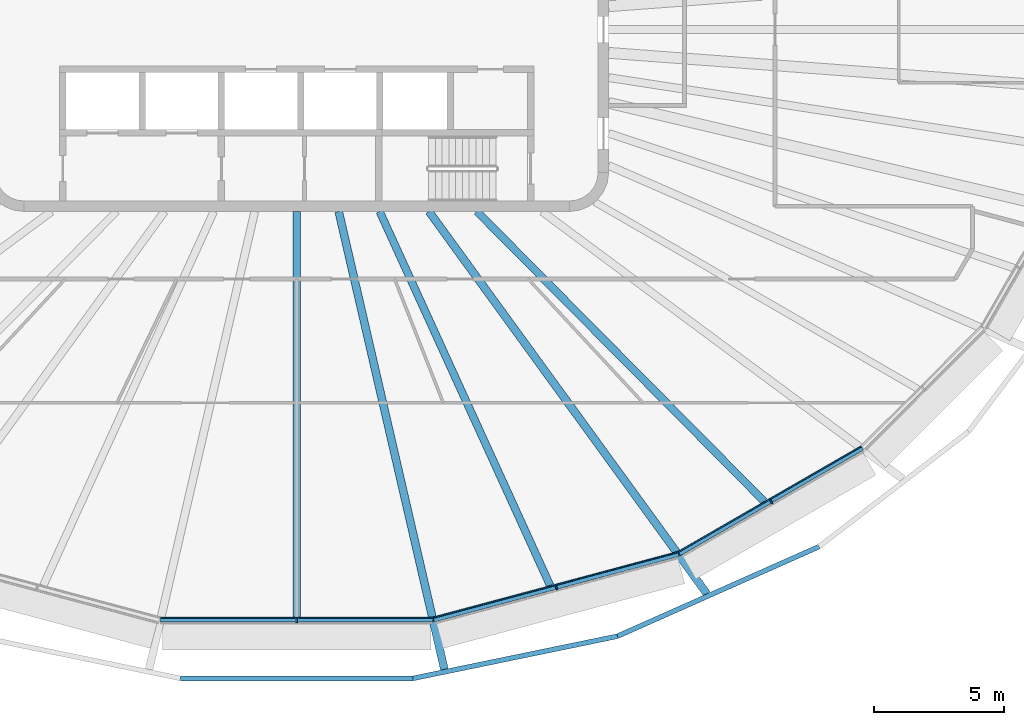
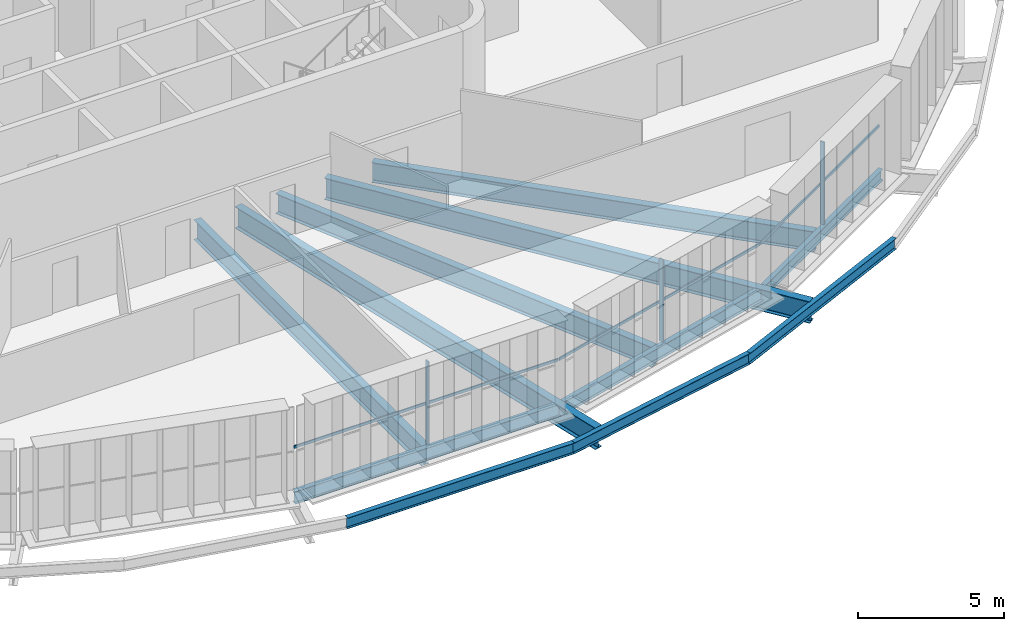
# One storey, part 3 of 19: 11 beams, 6 members, 3 elements without a shape of their own.
"""IFC4 building model written with IfcOpenShell, lengths in metres."""

from ifc_helpers import new_model, si_unit, direction, frame, origin, origin_2d, place, context, subcontext, project, spatial, rectangle, i_section, extrude, material, layer, layer_set, material_profile, profile_set, type_object, element, aggregate, save


model = new_model("IFC4")

# Units and contexts
model_context = context("Model", 3, precision=1e-05, world=origin(), true_north=direction((0.0, 1.0)))
body_context = subcontext(model_context, "Body", "Model", "MODEL_VIEW")
ifc_project = project(units=[si_unit("LENGTHUNIT", "METRE"), si_unit("AREAUNIT", "SQUARE_METRE"), si_unit("VOLUMEUNIT", "CUBIC_METRE"), si_unit("PLANEANGLEUNIT", "RADIAN"), si_unit("MASSUNIT", "GRAM", prefix="KILO")], contexts=[model_context])

# Site, building, storey
site_placement = place(None, origin())
site = spatial("IfcSite", under=ifc_project, at=site_placement, CompositionType="ELEMENT")
building_placement = place(site_placement, origin())
building = spatial("IfcBuilding", under=site, at=building_placement, Name="Sahrelin Media Tower", CompositionType="ELEMENT")
storey_placement = place(building_placement, frame((0.0, 0.0, 241.60009765625)))
storey = spatial("IfcBuildingStorey", under=building, at=storey_placement, Name="L52", CompositionType="ELEMENT", Elevation=241.60009765625)

# Beams
ifc_material_1 = material(Name="Steel S355", Category="steel")
ifc_material_profile_1 = material_profile(ifc_material_1, i_section(OverallWidth=0.1904296875, OverallDepth=0.45703125, WebThickness=0.009033203125, FlangeThickness=0.014404296875, FilletRadius=0.01025390625, at=origin_2d()), Name="UB 457x191x74")
ifc_profile_set_1 = profile_set([ifc_material_profile_1], Name="Steel S355")
beam_type_1 = type_object("IfcBeamType", Name="Edge beam EB5", PredefinedType="BEAM", material=ifc_profile_set_1)
beam_1_placement = place(storey_placement, frame((21.756591796875, -16.095947265625, -0.378662109375), z_axis=(-0.866024038412, -0.500002364886, 0.0), x_axis=(0.500002364886, -0.866024038412, 0.0)))
element("IfcBeam", 1, at=beam_1_placement, inside=storey, type_object=beam_type_1, Name="Edge beam L52-05", PredefinedType="BEAM", context=body_context, shape_type="SweptSolid", body=[
    extrude(i_section(OverallWidth=0.1904296875, OverallDepth=0.45703125, WebThickness=0.009033203125, FlangeThickness=0.014404296875, FilletRadius=0.01025390625, at=origin_2d()), origin(), (0.0, 0.0, 1.0), 8.12890625),
])
ifc_material_profile_2 = material_profile(ifc_material_1, i_section(OverallWidth=0.208740234375, OverallDepth=0.5283203125, WebThickness=0.009521484375, FlangeThickness=0.01318359375, FilletRadius=0.0126953125, at=origin_2d()), Name="UB 533x210x82")
ifc_profile_set_2 = profile_set([ifc_material_profile_2], Name="Steel S355")
beam_type_2 = type_object("IfcBeamType", Name="Edge beam EB6", PredefinedType="BEAM", material=ifc_profile_set_2)
beam_2_placement = place(storey_placement, frame((14.690185546875, -20.17138671875, -0.414306640625), z_axis=(-0.965922692081, -0.258830741845, 0.0), x_axis=(0.258830741845, -0.965922692081, 0.0)))
element("IfcBeam", 2, at=beam_2_placement, inside=storey, type_object=beam_type_2, Name="Edge beam L52-06", PredefinedType="BEAM", context=body_context, shape_type="SweptSolid", body=[
    extrude(i_section(OverallWidth=0.208740234375, OverallDepth=0.5283203125, WebThickness=0.009521484375, FlangeThickness=0.01318359375, FilletRadius=0.0126953125, at=origin_2d()), origin(), (0.0, 0.0, 1.0), 9.755126953125),
])
beam_3_placement = place(storey_placement, frame((5.239013671875, -22.699951171875, -0.414306640625), z_axis=(-1.0, 0.0, 0.0), x_axis=(0.0, -1.0, 0.0)))
element("IfcBeam", 3, at=beam_3_placement, inside=storey, type_object=beam_type_2, Name="Edge beam L52-07", PredefinedType="BEAM", context=body_context, shape_type="SweptSolid", body=[
    extrude(i_section(OverallWidth=0.208740234375, OverallDepth=0.5283203125, WebThickness=0.009521484375, FlangeThickness=0.01318359375, FilletRadius=0.0126953125, at=origin_2d()), origin(), (0.0, 0.0, 1.0), 10.47802734375),
])

# Curtain wall, member
ifc_material_2 = material(Name="Champagne anodised aluminium 6063-T6", Category="aluminium")
ifc_layer = layer(ifc_material_2, 0.14990234375)
ifc_layer_set = layer_set([ifc_layer], Name="Tower ribbon curtain wall")
curtain_wall_type = type_object("IfcCurtainWallType", Name="Tower ribbon curtain wall", PredefinedType="NOTDEFINED", material=ifc_layer_set)
curtain_wall_1_placement = place(storey_placement, frame((0.0, -22.85009765625, 0.0), z_axis=(0.0, 0.0, 1.0), x_axis=(1.0, 0.0, 0.0)))
curtain_wall_1 = element("IfcCurtainWall", 4, at=curtain_wall_1_placement, inside=storey, type_object=curtain_wall_type, Name="L52:CW:L52-18", PredefinedType="NOTDEFINED")
ifc_material_profile_3 = material_profile(ifc_material_2, rectangle(XDim=0.06005859375, YDim=0.175048828125, at=origin_2d()), Name="Mullion 60x175")
ifc_profile_set_3 = profile_set([ifc_material_profile_3], Name="Champagne anodised aluminium 6063-T6")
member_type_1 = type_object("IfcMemberType", Name="Mullion 60x175 CW1B", PredefinedType="MULLION", material=ifc_profile_set_3)
member_1_placement = place(storey_placement, frame((0.0, -22.742431640625, 0.0), z_axis=(0.0, 0.0, 1.0), x_axis=(1.0, 0.0, 0.0)))
member_1 = element("IfcMember", 5, at=member_1_placement, type_object=member_type_1, Name="L52:CWM:L52-18", PredefinedType="MULLION", context=body_context, shape_type="SweptSolid", body=[
    extrude(rectangle(XDim=0.06005859375, YDim=0.175048828125, at=origin_2d()), origin(), (0.0, 0.0, 1.0), 3.448486328125),
])

curtain_wall_2_placement = place(storey_placement, frame((10.017578125, -21.578857421875, 0.0), z_axis=(0.0, 0.0, 1.0), x_axis=(1.0, 0.0, 0.0)))
curtain_wall_2 = element("IfcCurtainWall", 6, at=curtain_wall_2_placement, inside=storey, type_object=curtain_wall_type, Name="L52:CW:L52-19", PredefinedType="NOTDEFINED")
member_2_placement = place(storey_placement, frame((9.98974609375, -21.474853515625, 0.0), z_axis=(0.0, 0.0, 1.0), x_axis=(0.965925374563, 0.258820730961, 0.0)))
member_2 = element("IfcMember", 7, at=member_2_placement, type_object=member_type_1, Name="L52:CWM:L52-19", PredefinedType="MULLION", context=body_context, shape_type="SweptSolid", body=[
    extrude(rectangle(XDim=0.06005859375, YDim=0.175048828125, at=origin_2d()), origin(), (0.0, 0.0, 1.0), 3.448486328125),
])

curtain_wall_3_placement = place(storey_placement, frame((18.3115234375, -18.258056640625, 0.0), z_axis=(0.0, 0.0, 1.0), x_axis=(1.0, 0.0, 0.0)))
curtain_wall_3 = element("IfcCurtainWall", 8, at=curtain_wall_3_placement, inside=storey, type_object=curtain_wall_type, Name="L52:CW:L52-20", PredefinedType="NOTDEFINED")
member_3_placement = place(storey_placement, frame((18.2578125, -18.1650390625, 0.0), z_axis=(0.0, 0.0, 1.0), x_axis=(0.866027149108, 0.499996976998, 0.0)))
member_3 = element("IfcMember", 9, at=member_3_placement, type_object=member_type_1, Name="L52:CWM:L52-20", PredefinedType="MULLION", context=body_context, shape_type="SweptSolid", body=[
    extrude(rectangle(XDim=0.06005859375, YDim=0.175048828125, at=origin_2d()), origin(), (0.0, 0.0, 1.0), 3.448486328125),
])

# Beams
ifc_material_profile_4 = material_profile(ifc_material_1, i_section(OverallWidth=0.30322265625, OverallDepth=0.903076171875, WebThickness=0.01513671875, FlangeThickness=0.020263671875, FilletRadius=0.01904296875, at=origin_2d()), Name="UB 914x305x201")
ifc_profile_set_4 = profile_set([ifc_material_profile_4], Name="Steel S355")
beam_type_3 = type_object("IfcBeamType", Name="Radial primary beam PB11", PredefinedType="BEAM", material=ifc_profile_set_4)
beam_4_placement = place(storey_placement, frame((1.615478515625, -7.0, -0.6015625), z_axis=(0.224863451121, -0.974390285435, 0.0), x_axis=(0.974390285435, 0.224863451121, 0.0)))
element("IfcBeam", 10, at=beam_4_placement, inside=storey, type_object=beam_type_3, Name="Radial beam L52-19", PredefinedType="BEAM", context=body_context, shape_type="SweptSolid", body=[
    extrude(i_section(OverallWidth=0.30322265625, OverallDepth=0.903076171875, WebThickness=0.01513671875, FlangeThickness=0.020263671875, FilletRadius=0.01904296875, at=origin_2d()), origin(), (0.0, 0.0, 1.0), 18.081787109375),
])
beam_5_placement = place(storey_placement, frame((5.08837890625, -7.0, -0.6015625), z_axis=(0.587989674537, -0.808868433453, 0.0), x_axis=(0.808868433453, 0.587989674537, 0.0)))
element("IfcBeam", 11, at=beam_5_placement, inside=storey, type_object=beam_type_3, Name="Radial beam L52-20", PredefinedType="BEAM", context=body_context, shape_type="SweptSolid", body=[
    extrude(i_section(OverallWidth=0.30322265625, OverallDepth=0.903076171875, WebThickness=0.01513671875, FlangeThickness=0.020263671875, FilletRadius=0.01904296875, at=origin_2d()), origin(), (0.0, 0.0, 1.0), 18.1845703125),
])
ifc_material_profile_5 = material_profile(ifc_material_1, i_section(OverallWidth=0.291748046875, OverallDepth=0.8349609375, WebThickness=0.013916015625, FlangeThickness=0.018798828125, FilletRadius=0.017822265625, at=origin_2d()), Name="UB 838x292x176")
ifc_profile_set_5 = profile_set([ifc_material_profile_5], Name="Steel S355")
beam_type_4 = type_object("IfcBeamType", Name="Radial secondary beam SB10", PredefinedType="BEAM", material=ifc_profile_set_5)
beam_6_placement = place(storey_placement, frame((0.0, -7.0, -0.567626953125), z_axis=(0.0, -1.0, 0.0), x_axis=(1.0, 0.0, 0.0)))
element("IfcBeam", 12, at=beam_6_placement, inside=storey, type_object=beam_type_4, Name="Secondary beam L52-18", PredefinedType="BEAM", context=body_context, shape_type="SweptSolid", body=[
    extrude(i_section(OverallWidth=0.291748046875, OverallDepth=0.8349609375, WebThickness=0.013916015625, FlangeThickness=0.018798828125, FilletRadius=0.017822265625, at=origin_2d()), origin(), (0.0, 0.0, 1.0), 15.595703125),
])
beam_7_placement = place(storey_placement, frame((3.19091796875, -7.0, -0.567626953125), z_axis=(0.414752003644, -0.90993448966, 0.0), x_axis=(0.90993448966, 0.414752003644, 0.0)))
element("IfcBeam", 13, at=beam_7_placement, inside=storey, type_object=beam_type_4, Name="Secondary beam L52-19", PredefinedType="BEAM", context=body_context, shape_type="SweptSolid", body=[
    extrude(i_section(OverallWidth=0.291748046875, OverallDepth=0.8349609375, WebThickness=0.013916015625, FlangeThickness=0.018798828125, FilletRadius=0.017822265625, at=origin_2d()), origin(), (0.0, 0.0, 1.0), 15.8115234375),
])
beam_8_placement = place(storey_placement, frame((6.934326171875, -7.0, -0.567626953125), z_axis=(0.70375757682, -0.710440196687, 0.0), x_axis=(0.710440196687, 0.70375757682, 0.0)))
element("IfcBeam", 14, at=beam_8_placement, inside=storey, type_object=beam_type_4, Name="Secondary beam L52-20", PredefinedType="BEAM", context=body_context, shape_type="SweptSolid", body=[
    extrude(i_section(OverallWidth=0.291748046875, OverallDepth=0.8349609375, WebThickness=0.013916015625, FlangeThickness=0.018798828125, FilletRadius=0.017822265625, at=origin_2d()), origin(), (0.0, 0.0, 1.0), 15.70947265625),
])
ifc_material_profile_6 = material_profile(ifc_material_1, i_section(OverallWidth=0.1904296875, OverallDepth=0.45703125, WebThickness=0.009033203125, FlangeThickness=0.014404296875, FilletRadius=0.01025390625, at=origin_2d()), Name="UB 457x191x74")
ifc_profile_set_6 = profile_set([ifc_material_profile_6], Name="Steel S355")
beam_type_5 = type_object("IfcBeamType", Name="Tie chord TC5", PredefinedType="BEAM", material=ifc_profile_set_6)
beam_9_placement = place(storey_placement, frame((-4.478515625, -24.964111328125, -0.378662109375), z_axis=(1.0, 0.0, 0.0), x_axis=(0.0, 1.0, 0.0)))
element("IfcBeam", 15, at=beam_9_placement, inside=storey, type_object=beam_type_5, Name="Tie chord L52-18", PredefinedType="BEAM", context=body_context, shape_type="SweptSolid", body=[
    extrude(i_section(OverallWidth=0.1904296875, OverallDepth=0.45703125, WebThickness=0.009033203125, FlangeThickness=0.014404296875, FilletRadius=0.01025390625, at=origin_2d()), origin(), (0.0, 0.0, 1.0), 8.95703125),
])
beam_10_placement = place(storey_placement, frame((4.478515625, -24.964111328125, -0.378662109375), z_axis=(0.979384699, 0.202003988487, 0.0), x_axis=(-0.202003988487, 0.979384699, 0.0)))
element("IfcBeam", 16, at=beam_10_placement, inside=storey, type_object=beam_type_5, Name="Tie chord L52-19", PredefinedType="BEAM", context=body_context, shape_type="SweptSolid", body=[
    extrude(i_section(OverallWidth=0.1904296875, OverallDepth=0.45703125, WebThickness=0.009033203125, FlangeThickness=0.014404296875, FilletRadius=0.01025390625, at=origin_2d()), origin(), (0.0, 0.0, 1.0), 8.025146484375),
])
beam_11_placement = place(storey_placement, frame((12.338134765625, -23.343017578125, -0.378662109375), z_axis=(0.913825780346, 0.406106443159, 0.0), x_axis=(-0.406106443159, 0.913825780346, 0.0)))
element("IfcBeam", 17, at=beam_11_placement, inside=storey, type_object=beam_type_5, Name="Tie chord L52-20", PredefinedType="BEAM", context=body_context, shape_type="SweptSolid", body=[
    extrude(i_section(OverallWidth=0.1904296875, OverallDepth=0.45703125, WebThickness=0.009033203125, FlangeThickness=0.014404296875, FilletRadius=0.01025390625, at=origin_2d()), origin(), (0.0, 0.0, 1.0), 8.488525390625),
])

# Member
ifc_material_profile_7 = material_profile(ifc_material_2, rectangle(XDim=0.050048828125, YDim=0.110107421875, at=origin_2d()), Name="Transom 50x110")
ifc_profile_set_7 = profile_set([ifc_material_profile_7], Name="Champagne anodised aluminium 6063-T6")
member_type_2 = type_object("IfcMemberType", Name="Transom 50x110 CW1B", PredefinedType="USERDEFINED", material=ifc_profile_set_7)
member_4_placement = place(storey_placement, frame((-5.223388671875, -22.6298828125, 1.599853515625), z_axis=(1.0, 0.0, 0.0), x_axis=(0.0, 1.0, 0.0)))
member_4 = element("IfcMember", 18, at=member_4_placement, type_object=member_type_2, Name="L52:CWT:L52-18", ObjectType="TRANSOM", PredefinedType="USERDEFINED", context=body_context, shape_type="SweptSolid", body=[
    extrude(rectangle(XDim=0.050048828125, YDim=0.110107421875, at=origin_2d()), origin(), (0.0, 0.0, 1.0), 10.44677734375),
])

aggregate(curtain_wall_1, [member_1, member_4])

member_5_placement = place(storey_placement, frame((5.2646484375, -22.62451171875, 1.599853515625), z_axis=(0.965925860392, 0.25881891783, 0.0), x_axis=(-0.25881891783, 0.965925860392, 0.0)))
member_5 = element("IfcMember", 19, at=member_5_placement, type_object=member_type_2, Name="L52:CWT:L52-19", ObjectType="TRANSOM", PredefinedType="USERDEFINED", context=body_context, shape_type="SweptSolid", body=[
    extrude(rectangle(XDim=0.050048828125, YDim=0.110107421875, at=origin_2d()), origin(), (0.0, 0.0, 1.0), 9.723388671875),
])

aggregate(curtain_wall_2, [member_2, member_5])

member_6_placement = place(storey_placement, frame((14.6953125, -20.092041015625, 1.599853515625), z_axis=(0.866022911947, 0.500004315964, 0.0), x_axis=(-0.500004315964, 0.866022911947, 0.0)))
member_6 = element("IfcMember", 20, at=member_6_placement, type_object=member_type_2, Name="L52:CWT:L52-20", ObjectType="TRANSOM", PredefinedType="USERDEFINED", context=body_context, shape_type="SweptSolid", body=[
    extrude(rectangle(XDim=0.050048828125, YDim=0.110107421875, at=origin_2d()), origin(), (0.0, 0.0, 1.0), 8.09765625),
])

aggregate(curtain_wall_3, [member_3, member_6])

save(model, "model.ifc")
